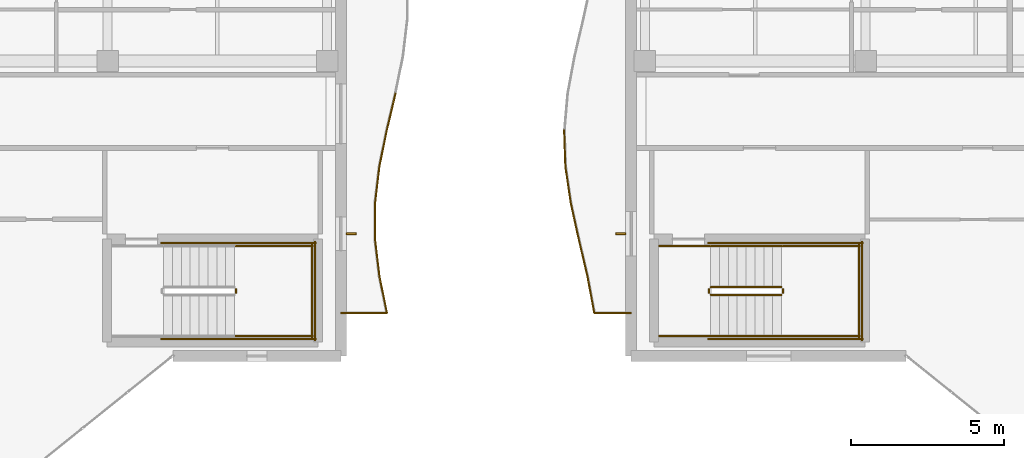
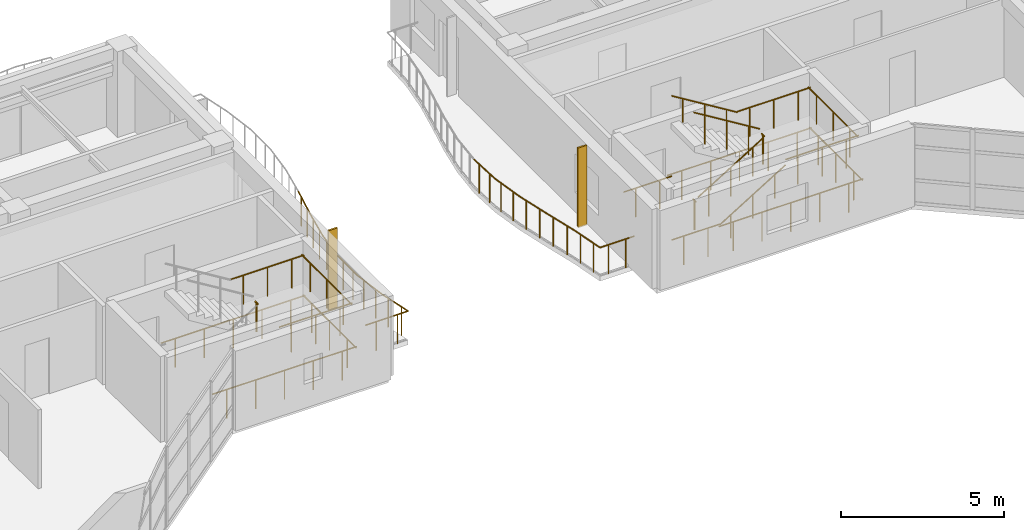
# One storey, part 86 of 89: 34 railings, 2 shading devices.
"""IFC4 building model written with IfcOpenShell, lengths in metres."""

from ifc_helpers import new_model, si_unit, direction, frame, origin, origin_2d, place, context, subcontext, project, spatial, rectangle, circle, extrude, material, layer, layer_set, type_object, element, save


model = new_model("IFC4")

# Units and contexts
model_context = context("Model", 3, precision=1e-05, world=origin(), true_north=direction((0.0, 1.0)))
body_context = subcontext(model_context, "Body", "Model", "MODEL_VIEW")
ifc_project = project(units=[si_unit("LENGTHUNIT", "METRE"), si_unit("AREAUNIT", "SQUARE_METRE"), si_unit("VOLUMEUNIT", "CUBIC_METRE"), si_unit("PLANEANGLEUNIT", "RADIAN"), si_unit("MASSUNIT", "GRAM", prefix="KILO")], contexts=[model_context])

# Site, building, storey
site_placement = place(None, origin())
site = spatial("IfcSite", under=ifc_project, at=site_placement, CompositionType="ELEMENT")
building_placement = place(site_placement, origin())
building = spatial("IfcBuilding", under=site, at=building_placement, Name="Keldmere Railside Commons", CompositionType="ELEMENT")
storey_placement = place(building_placement, frame((0.0, 0.0, 7.360107421875)))
storey = spatial("IfcBuildingStorey", under=building, at=storey_placement, Name="L02", CompositionType="ELEMENT", Elevation=7.360107421875)

# Railings
ifc_material = material(Name="Steel F-24 (S235)", Category="steel")
railing_type_1 = type_object("IfcRailingType", Name="Balcony & Terrace Steel Balustrade 1100", PredefinedType="BALUSTRADE", material=ifc_material)
railing_1_placement = place(storey_placement, frame((137.5, 101.39990234375, 0.0)))
element("IfcRailing", 1, at=railing_1_placement, inside=storey, type_object=railing_type_1, Name="GR-1 GRD-L02-2067", PredefinedType="BALUSTRADE", context=body_context, shape_type="SweptSolid", body=[
    extrude(circle(Radius=0.02392578125, at=origin_2d()), frame((0.0, 0.0, 1.076171875), z_axis=(1.0, 0.0, 0.0), x_axis=(0.0, 1.0, 0.0)), (0.0, 0.0, 1.0), 1.509521484375),
    extrude(circle(Radius=0.02099609375, at=origin_2d()), frame((0.37744140625, 0.0, 0.0)), (0.0, 0.0, 1.0), 1.048095703125),
    extrude(circle(Radius=0.02099609375, at=origin_2d()), frame((1.132080078125, 0.0, 0.0)), (0.0, 0.0, 1.0), 1.048095703125),
])
railing_2_placement = place(storey_placement, frame((139.009521484375, 101.39990234375, 0.0)))
element("IfcRailing", 2, at=railing_2_placement, inside=storey, type_object=railing_type_1, Name="GR-1 GRD-L02-2068", PredefinedType="BALUSTRADE", context=body_context, shape_type="SweptSolid", body=[
    extrude(circle(Radius=0.02392578125, at=origin_2d()), frame((0.0, 0.0, 1.076171875), z_axis=(-0.201630433829, 0.979461672631, 0.0), x_axis=(-0.979461672631, -0.201630433829, 0.0)), (0.0, 0.0, 1.0), 1.225341796875),
    extrude(circle(Radius=0.02099609375, at=origin_2d()), frame((-0.061767578125, 0.300048828125, 0.0)), (0.0, 0.0, 1.0), 1.048095703125),
    extrude(circle(Radius=0.02099609375, at=origin_2d()), frame((-0.185302734375, 0.900146484375, 0.0)), (0.0, 0.0, 1.0), 1.048095703125),
])
railing_3_placement = place(storey_placement, frame((138.762451171875, 102.60009765625, 0.0)))
element("IfcRailing", 3, at=railing_3_placement, inside=storey, type_object=railing_type_1, Name="GR-1 GRD-L02-2069", PredefinedType="BALUSTRADE", context=body_context, shape_type="SweptSolid", body=[
    extrude(circle(Radius=0.02392578125, at=origin_2d()), frame((0.0, 0.0, 1.076171875), z_axis=(-0.118587567053, 0.992943598066, 0.0), x_axis=(-0.992943598066, -0.118587567053, 0.0)), (0.0, 0.0, 1.0), 1.20849609375),
    extrude(circle(Radius=0.02099609375, at=origin_2d()), frame((-0.035888671875, 0.300048828125, 0.0)), (0.0, 0.0, 1.0), 1.048095703125),
    extrude(circle(Radius=0.02099609375, at=origin_2d()), frame((-0.107421875, 0.89990234375, 0.0)), (0.0, 0.0, 1.0), 1.048095703125),
])
railing_4_placement = place(storey_placement, frame((138.619140625, 103.800048828125, 0.0)))
element("IfcRailing", 4, at=railing_4_placement, inside=storey, type_object=railing_type_1, Name="GR-1 GRD-L02-2070", PredefinedType="BALUSTRADE", context=body_context, shape_type="SweptSolid", body=[
    extrude(circle(Radius=0.02392578125, at=origin_2d()), frame((0.0, 0.0, 1.076171875), z_axis=(-0.000610376285, 0.99999981372, 0.0), x_axis=(-0.99999981372, -0.000610376285, 0.0)), (0.0, 0.0, 1.0), 1.199951171875),
    extrude(circle(Radius=0.02099609375, at=origin_2d()), frame((-0.000244140625, 0.300048828125, 0.0)), (0.0, 0.0, 1.0), 1.048095703125),
    extrude(circle(Radius=0.02099609375, at=origin_2d()), frame((-0.00048828125, 0.89990234375, 0.0)), (0.0, 0.0, 1.0), 1.048095703125),
])
railing_5_placement = place(storey_placement, frame((138.618408203125, 105.0, 0.0)))
element("IfcRailing", 5, at=railing_5_placement, inside=storey, type_object=railing_type_1, Name="GR-1 GRD-L02-2071", PredefinedType="BALUSTRADE", context=body_context, shape_type="SweptSolid", body=[
    extrude(circle(Radius=0.02392578125, at=origin_2d()), frame((0.0, 0.0, 1.076171875), z_axis=(0.116993654414, 0.99313266225, 0.0), x_axis=(-0.99313266225, 0.116993654414, 0.0)), (0.0, 0.0, 1.0), 1.208251953125),
    extrude(circle(Radius=0.02099609375, at=origin_2d()), frame((0.035400390625, 0.300048828125, 0.0)), (0.0, 0.0, 1.0), 1.048095703125),
    extrude(circle(Radius=0.02099609375, at=origin_2d()), frame((0.10595703125, 0.89990234375, 0.0)), (0.0, 0.0, 1.0), 1.048095703125),
])
railing_6_placement = place(storey_placement, frame((138.759765625, 106.199951171875, 0.0)))
element("IfcRailing", 6, at=railing_6_placement, inside=storey, type_object=railing_type_1, Name="GR-1 GRD-L02-2072", PredefinedType="BALUSTRADE", context=body_context, shape_type="SweptSolid", body=[
    extrude(circle(Radius=0.02392578125, at=origin_2d()), frame((0.0, 0.0, 1.076171875), z_axis=(0.200904910214, 0.979610747722, 0.0), x_axis=(-0.979610747722, 0.200904910214, 0.0)), (0.0, 0.0, 1.0), 1.224853515625),
    extrude(circle(Radius=0.02099609375, at=origin_2d()), frame((0.0615234375, 0.300048828125, 0.0)), (0.0, 0.0, 1.0), 1.048095703125),
    extrude(circle(Radius=0.02099609375, at=origin_2d()), frame((0.1845703125, 0.89990234375, 0.0)), (0.0, 0.0, 1.0), 1.048095703125),
])
railing_7_placement = place(storey_placement, frame((139.005859375, 107.39990234375, 0.0)))
element("IfcRailing", 7, at=railing_7_placement, inside=storey, type_object=railing_type_1, Name="GR-1 GRD-L02-2073", PredefinedType="BALUSTRADE", context=body_context, shape_type="SweptSolid", body=[
    extrude(circle(Radius=0.02392578125, at=origin_2d()), frame((0.0, 0.0, 1.076171875), z_axis=(0.230782015464, 0.973005478576, 0.0), x_axis=(-0.973005478576, 0.230782015464, 0.0)), (0.0, 0.0, 1.0), 1.2333984375),
    extrude(circle(Radius=0.02099609375, at=origin_2d()), frame((0.0712890625, 0.300048828125, 0.0)), (0.0, 0.0, 1.0), 1.048095703125),
    extrude(circle(Radius=0.02099609375, at=origin_2d()), frame((0.21337890625, 0.900146484375, 0.0)), (0.0, 0.0, 1.0), 1.048095703125),
])
railing_8_placement = place(storey_placement, frame((147.0, 101.39990234375, 0.0)))
element("IfcRailing", 8, at=railing_8_placement, inside=storey, type_object=railing_type_1, Name="GR-1 GRD-L02-3396", PredefinedType="BALUSTRADE", context=body_context, shape_type="SweptSolid", body=[
    extrude(circle(Radius=0.02392578125, at=origin_2d()), frame((0.0, 0.0, 1.076171875), z_axis=(-1.0, 0.0, 0.0), x_axis=(0.0, -1.0, 0.0)), (0.0, 0.0, 1.0), 1.2080078125),
    extrude(circle(Radius=0.02099609375, at=origin_2d()), frame((-0.302001953125, 0.0, 0.0)), (0.0, 0.0, 1.0), 1.048095703125),
    extrude(circle(Radius=0.02099609375, at=origin_2d()), frame((-0.906005859375, 0.0, 0.0)), (0.0, 0.0, 1.0), 1.048095703125),
])
railing_9_placement = place(storey_placement, frame((145.7919921875, 101.39990234375, 0.0)))
element("IfcRailing", 9, at=railing_9_placement, inside=storey, type_object=railing_type_1, Name="GR-1 GRD-L02-3397", PredefinedType="BALUSTRADE", context=body_context, shape_type="SweptSolid", body=[
    extrude(circle(Radius=0.02392578125, at=origin_2d()), frame((0.0, 0.0, 1.076171875), z_axis=(-0.182597717543, 0.98318771023, 0.0), x_axis=(-0.98318771023, -0.182597717543, 0.0)), (0.0, 0.0, 1.0), 1.220703125),
    extrude(circle(Radius=0.02099609375, at=origin_2d()), frame((-0.0556640625, 0.300048828125, 0.0)), (0.0, 0.0, 1.0), 1.048095703125),
    extrude(circle(Radius=0.02099609375, at=origin_2d()), frame((-0.167236328125, 0.900146484375, 0.0)), (0.0, 0.0, 1.0), 1.048095703125),
])
railing_10_placement = place(storey_placement, frame((145.569091796875, 102.60009765625, 0.0)))
element("IfcRailing", 10, at=railing_10_placement, inside=storey, type_object=railing_type_1, Name="GR-1 GRD-L02-3398", PredefinedType="BALUSTRADE", context=body_context, shape_type="SweptSolid", body=[
    extrude(circle(Radius=0.02392578125, at=origin_2d()), frame((0.0, 0.0, 1.076171875), z_axis=(-0.228575623349, 0.973526160106, 0.0), x_axis=(-0.973526160106, -0.228575623349, 0.0)), (0.0, 0.0, 1.0), 1.232666015625),
    extrude(circle(Radius=0.02099609375, at=origin_2d()), frame((-0.0703125, 0.300048828125, 0.0)), (0.0, 0.0, 1.0), 1.048095703125),
    extrude(circle(Radius=0.02099609375, at=origin_2d()), frame((-0.21142578125, 0.89990234375, 0.0)), (0.0, 0.0, 1.0), 1.048095703125),
])
railing_11_placement = place(storey_placement, frame((145.287353515625, 103.800048828125, 0.0)))
element("IfcRailing", 11, at=railing_11_placement, inside=storey, type_object=railing_type_1, Name="GR-1 GRD-L02-3399", PredefinedType="BALUSTRADE", context=body_context, shape_type="SweptSolid", body=[
    extrude(circle(Radius=0.02392578125, at=origin_2d()), frame((0.0, 0.0, 1.076171875), z_axis=(-0.215373434555, 0.976531762765, 0.0), x_axis=(-0.976531762765, -0.215373434555, 0.0)), (0.0, 0.0, 1.0), 1.228759765625),
    extrude(circle(Radius=0.02099609375, at=origin_2d()), frame((-0.066162109375, 0.300048828125, 0.0)), (0.0, 0.0, 1.0), 1.048095703125),
    extrude(circle(Radius=0.02099609375, at=origin_2d()), frame((-0.198486328125, 0.89990234375, 0.0)), (0.0, 0.0, 1.0), 1.048095703125),
])
railing_12_placement = place(storey_placement, frame((145.022705078125, 105.0, 0.0)))
element("IfcRailing", 12, at=railing_12_placement, inside=storey, type_object=railing_type_1, Name="GR-1 GRD-L02-3400", PredefinedType="BALUSTRADE", context=body_context, shape_type="SweptSolid", body=[
    extrude(circle(Radius=0.02392578125, at=origin_2d()), frame((0.0, 0.0, 1.076171875), z_axis=(-0.146125565179, 0.989266050767, 0.0), x_axis=(-0.989266050767, -0.146125565179, 0.0)), (0.0, 0.0, 1.0), 1.212890625),
    extrude(circle(Radius=0.02099609375, at=origin_2d()), frame((-0.04443359375, 0.300048828125, 0.0)), (0.0, 0.0, 1.0), 1.048095703125),
    extrude(circle(Radius=0.02099609375, at=origin_2d()), frame((-0.1328125, 0.89990234375, 0.0)), (0.0, 0.0, 1.0), 1.048095703125),
])
railing_13_placement = place(storey_placement, frame((144.845458984375, 106.199951171875, 0.0)))
element("IfcRailing", 13, at=railing_13_placement, inside=storey, type_object=railing_type_1, Name="GR-1 GRD-L02-3401", PredefinedType="BALUSTRADE", context=body_context, shape_type="SweptSolid", body=[
    extrude(circle(Radius=0.02392578125, at=origin_2d()), frame((0.0, 0.0, 1.076171875), z_axis=(-0.03477041725, 0.999395326227, 0.0), x_axis=(-0.999395326227, -0.03477041725, 0.0)), (0.0, 0.0, 1.0), 1.20068359375),
    extrude(circle(Radius=0.02099609375, at=origin_2d()), frame((-0.010498046875, 0.300048828125, 0.0)), (0.0, 0.0, 1.0), 1.048095703125),
    extrude(circle(Radius=0.02099609375, at=origin_2d()), frame((-0.03125, 0.89990234375, 0.0)), (0.0, 0.0, 1.0), 1.048095703125),
])

# Shading devices
ifc_layer = layer(ifc_material, 0.06005859375, Name="East-West Vertical Brise-Soleil Fin 320x60")
ifc_layer_set = layer_set([ifc_layer], Name="Steel F-24 (S235)")
shading_device_type = type_object("IfcShadingDeviceType", Name="East-West Vertical Brise-Soleil Fin 320x60", PredefinedType="USERDEFINED", material=ifc_layer_set)
for number, where, z_axis, x_axis, name in (
    (14, (137.837890625, 104.0, 0.0), (0.0, 0.0, 1.0), (1.0, 0.0, 0.0), "FIN-1 Solar Fin 020"),
    (15, (146.662109375, 104.0, 0.0), (0.0, 0.0, 1.0), (1.0, 0.0, 0.0), "FIN-1 Solar Fin 031"),
):
    element("IfcShadingDevice", number, at=place(storey_placement, frame(where, z_axis=z_axis, x_axis=x_axis)), inside=storey, type_object=shading_device_type, Name=name, ObjectType="FIN", PredefinedType="USERDEFINED", context=body_context, shape_type="SweptSolid", body=[
        extrude(rectangle(XDim=0.320068359375, YDim=0.06005859375, at=origin_2d()), origin(), (0.0, 0.0, 1.0), 2.97998046875),
    ])

# Railings
railing_type_2 = type_object("IfcRailingType", Name="Stair Well Steel Guardrail 1100", PredefinedType="BALUSTRADE", material=ifc_material)
railing_14_placement = place(storey_placement, frame((134.070068359375, 102.050048828125, 1.599853515625)))
element("IfcRailing", 16, at=railing_14_placement, inside=storey, type_object=railing_type_2, Name="L02 ST-B2 stair guard 2", PredefinedType="BALUSTRADE", context=body_context, shape_type="SweptSolid", body=[
    extrude(circle(Radius=0.02392578125, at=origin_2d()), frame((0.0, 0.0, 1.076171875), z_axis=(0.0, 1.0, 0.0), x_axis=(-1.0, 0.0, 0.0)), (0.0, 0.0, 1.0), 0.14990234375),
    extrude(circle(Radius=0.02099609375, at=origin_2d()), frame((0.0, 0.074951171875, 0.0)), (0.0, 0.0, 1.0), 1.048095703125),
])
for number, where, name in (
    (17, (134.02001953125, 100.64990234375, 1.599853515625), "L02 ST-B2 stair guard 3"),
    (18, (134.02001953125, 103.60009765625, 1.599853515625), "L02 ST-B2 stair guard 4"),
):
    element("IfcRailing", number, at=place(storey_placement, frame(where)), inside=storey, type_object=railing_type_2, Name=name, PredefinedType="BALUSTRADE", context=body_context, shape_type="SweptSolid", body=[
        extrude(circle(Radius=0.02392578125, at=origin_2d()), frame((0.0, 0.0, 1.076171875), z_axis=(1.0, 0.0, 0.0), x_axis=(0.0, 1.0, 0.0)), (0.0, 0.0, 1.0), 2.580078125),
        extrude(circle(Radius=0.02099609375, at=origin_2d()), frame((0.429931640625, 0.0, 0.0)), (0.0, 0.0, 1.0), 1.048095703125),
        extrude(circle(Radius=0.02099609375, at=origin_2d()), frame((1.2900390625, 0.0, 0.0)), (0.0, 0.0, 1.0), 1.048095703125),
        extrude(circle(Radius=0.02099609375, at=origin_2d()), frame((2.150146484375, 0.0, 0.0)), (0.0, 0.0, 1.0), 1.048095703125),
    ])
railing_15_placement = place(storey_placement, frame((136.550048828125, 100.60009765625, 1.599853515625)))
element("IfcRailing", 19, at=railing_15_placement, inside=storey, type_object=railing_type_2, Name="L02 ST-B2 stair guard 5", PredefinedType="BALUSTRADE", context=body_context, shape_type="SweptSolid", body=[
    extrude(circle(Radius=0.02392578125, at=origin_2d()), frame((0.0, 0.0, 1.076171875), z_axis=(0.0, 1.0, 0.0), x_axis=(-1.0, 0.0, 0.0)), (0.0, 0.0, 1.0), 3.0498046875),
    extrude(circle(Radius=0.02099609375, at=origin_2d()), frame((0.0, 0.50830078125, 0.0)), (0.0, 0.0, 1.0), 1.048095703125),
    extrude(circle(Radius=0.02099609375, at=origin_2d()), frame((0.0, 1.52490234375, 0.0)), (0.0, 0.0, 1.0), 1.048095703125),
    extrude(circle(Radius=0.02099609375, at=origin_2d()), frame((0.0, 2.54150390625, 0.0)), (0.0, 0.0, 1.0), 1.048095703125),
])
for number, where, name in (
    (20, (131.60009765625, 100.550048828125, 0.0), "L02 ST-B2 stair guard 10"),
    (21, (131.60009765625, 103.699951171875, 0.0), "L02 ST-B2 stair guard 11"),
):
    element("IfcRailing", number, at=place(storey_placement, frame(where)), inside=storey, type_object=railing_type_2, Name=name, PredefinedType="BALUSTRADE", context=body_context, shape_type="SweptSolid", body=[
        extrude(circle(Radius=0.02392578125, at=origin_2d()), frame((0.0, 0.0, 1.076171875), z_axis=(1.0, 0.0, 0.0), x_axis=(0.0, 1.0, 0.0)), (0.0, 0.0, 1.0), 5.099853515625),
        extrude(circle(Radius=0.02099609375, at=origin_2d()), frame((0.510009765625, 0.0, 0.0)), (0.0, 0.0, 1.0), 1.048095703125),
        extrude(circle(Radius=0.02099609375, at=origin_2d()), frame((1.530029296875, 0.0, 0.0)), (0.0, 0.0, 1.0), 1.048095703125),
        extrude(circle(Radius=0.02099609375, at=origin_2d()), frame((2.5498046875, 0.0, 0.0)), (0.0, 0.0, 1.0), 1.048095703125),
        extrude(circle(Radius=0.02099609375, at=origin_2d()), frame((3.56982421875, 0.0, 0.0)), (0.0, 0.0, 1.0), 1.048095703125),
        extrude(circle(Radius=0.02099609375, at=origin_2d()), frame((4.58984375, 0.0, 0.0)), (0.0, 0.0, 1.0), 1.048095703125),
    ])
railing_16_placement = place(storey_placement, frame((136.64990234375, 100.5, 0.0)))
element("IfcRailing", 22, at=railing_16_placement, inside=storey, type_object=railing_type_2, Name="L02 ST-B2 stair guard 12", PredefinedType="BALUSTRADE", context=body_context, shape_type="SweptSolid", body=[
    extrude(circle(Radius=0.02392578125, at=origin_2d()), frame((0.0, 0.0, 1.076171875), z_axis=(0.0, 1.0, 0.0), x_axis=(-1.0, 0.0, 0.0)), (0.0, 0.0, 1.0), 3.25),
    extrude(circle(Radius=0.02099609375, at=origin_2d()), frame((0.0, 0.541748046875, 0.0)), (0.0, 0.0, 1.0), 1.048095703125),
    extrude(circle(Radius=0.02099609375, at=origin_2d()), frame((0.0, 1.625, 0.0)), (0.0, 0.0, 1.0), 1.048095703125),
    extrude(circle(Radius=0.02099609375, at=origin_2d()), frame((0.0, 2.708251953125, 0.0)), (0.0, 0.0, 1.0), 1.048095703125),
])
railing_17_placement = place(storey_placement, frame((149.60009765625, 102.0, 0.177734375)))
element("IfcRailing", 23, at=railing_17_placement, inside=storey, type_object=railing_type_2, Name="L02 ST-A2 stair guard 1", PredefinedType="BALUSTRADE", context=body_context, shape_type="SweptSolid", body=[
    extrude(circle(Radius=0.02392578125, at=origin_2d()), frame((0.0, 0.0, 1.076171875), z_axis=(0.85255353654, 0.0, 0.522639902162), x_axis=(0.0, 1.0, 0.0)), (0.0, 0.0, 1.0), 2.720947265625),
    extrude(circle(Radius=0.02099609375, at=origin_2d()), frame((0.38671875, 0.0, 0.237060546875)), (0.0, 0.0, 1.0), 1.048095703125),
    extrude(circle(Radius=0.02099609375, at=origin_2d()), frame((1.159912109375, 0.0, 0.7109375)), (0.0, 0.0, 1.0), 1.048095703125),
    extrude(circle(Radius=0.02099609375, at=origin_2d()), frame((1.93310546875, 0.0, 1.18505859375)), (0.0, 0.0, 1.0), 1.048095703125),
])
railing_18_placement = place(storey_placement, frame((151.969970703125, 102.050048828125, 1.599853515625)))
element("IfcRailing", 24, at=railing_18_placement, inside=storey, type_object=railing_type_2, Name="L02 ST-A2 stair guard 2", PredefinedType="BALUSTRADE", context=body_context, shape_type="SweptSolid", body=[
    extrude(circle(Radius=0.02392578125, at=origin_2d()), frame((0.0, 0.0, 1.076171875), z_axis=(0.0, 1.0, 0.0), x_axis=(-1.0, 0.0, 0.0)), (0.0, 0.0, 1.0), 0.14990234375),
    extrude(circle(Radius=0.02099609375, at=origin_2d()), frame((0.0, 0.074951171875, 0.0)), (0.0, 0.0, 1.0), 1.048095703125),
])
for number, where, name in (
    (25, (151.919921875, 100.64990234375, 1.599853515625), "L02 ST-A2 stair guard 3"),
    (26, (151.919921875, 103.60009765625, 1.599853515625), "L02 ST-A2 stair guard 4"),
):
    element("IfcRailing", number, at=place(storey_placement, frame(where)), inside=storey, type_object=railing_type_2, Name=name, PredefinedType="BALUSTRADE", context=body_context, shape_type="SweptSolid", body=[
        extrude(circle(Radius=0.02392578125, at=origin_2d()), frame((0.0, 0.0, 1.076171875), z_axis=(1.0, 0.0, 0.0), x_axis=(0.0, 1.0, 0.0)), (0.0, 0.0, 1.0), 2.580078125),
        extrude(circle(Radius=0.02099609375, at=origin_2d()), frame((0.429931640625, 0.0, 0.0)), (0.0, 0.0, 1.0), 1.048095703125),
        extrude(circle(Radius=0.02099609375, at=origin_2d()), frame((1.2900390625, 0.0, 0.0)), (0.0, 0.0, 1.0), 1.048095703125),
        extrude(circle(Radius=0.02099609375, at=origin_2d()), frame((2.150146484375, 0.0, 0.0)), (0.0, 0.0, 1.0), 1.048095703125),
    ])
railing_19_placement = place(storey_placement, frame((154.449951171875, 100.60009765625, 1.599853515625)))
element("IfcRailing", 27, at=railing_19_placement, inside=storey, type_object=railing_type_2, Name="L02 ST-A2 stair guard 5", PredefinedType="BALUSTRADE", context=body_context, shape_type="SweptSolid", body=[
    extrude(circle(Radius=0.02392578125, at=origin_2d()), frame((0.0, 0.0, 1.076171875), z_axis=(0.0, 1.0, 0.0), x_axis=(-1.0, 0.0, 0.0)), (0.0, 0.0, 1.0), 3.0498046875),
    extrude(circle(Radius=0.02099609375, at=origin_2d()), frame((0.0, 0.50830078125, 0.0)), (0.0, 0.0, 1.0), 1.048095703125),
    extrude(circle(Radius=0.02099609375, at=origin_2d()), frame((0.0, 1.52490234375, 0.0)), (0.0, 0.0, 1.0), 1.048095703125),
    extrude(circle(Radius=0.02099609375, at=origin_2d()), frame((0.0, 2.54150390625, 0.0)), (0.0, 0.0, 1.0), 1.048095703125),
])
railing_20_placement = place(storey_placement, frame((151.919921875, 102.25, 1.777587890625)))
element("IfcRailing", 28, at=railing_20_placement, inside=storey, type_object=railing_type_2, Name="L02 ST-A2 stair guard 6", PredefinedType="BALUSTRADE", context=body_context, shape_type="SweptSolid", body=[
    extrude(circle(Radius=0.02392578125, at=origin_2d()), frame((0.0, 0.0, 1.076171875), z_axis=(-0.852513557019, 0.0, 0.522705112944), x_axis=(0.0, -1.0, 0.0)), (0.0, 0.0, 1.0), 2.72119140625),
    extrude(circle(Radius=0.02099609375, at=origin_2d()), frame((-0.38671875, 0.0, 0.237060546875)), (0.0, 0.0, 1.0), 1.048095703125),
    extrude(circle(Radius=0.02099609375, at=origin_2d()), frame((-1.159912109375, 0.0, 0.711181640625)), (0.0, 0.0, 1.0), 1.048095703125),
    extrude(circle(Radius=0.02099609375, at=origin_2d()), frame((-1.93310546875, 0.0, 1.185302734375)), (0.0, 0.0, 1.0), 1.048095703125),
])
railing_21_placement = place(storey_placement, frame((149.550048828125, 102.050048828125, 0.0)))
element("IfcRailing", 29, at=railing_21_placement, inside=storey, type_object=railing_type_2, Name="L02 ST-A2 stair guard 7", PredefinedType="BALUSTRADE", context=body_context, shape_type="SweptSolid", body=[
    extrude(circle(Radius=0.02392578125, at=origin_2d()), frame((0.0, 0.0, 1.076171875), z_axis=(0.0, 1.0, 0.0), x_axis=(-1.0, 0.0, 0.0)), (0.0, 0.0, 1.0), 0.14990234375),
    extrude(circle(Radius=0.02099609375, at=origin_2d()), frame((0.0, 0.074951171875, 0.0)), (0.0, 0.0, 1.0), 1.048095703125),
])
for number, where, name in (
    (30, (147.89990234375, 100.64990234375, 0.0), "L02 ST-A2 stair guard 8"),
    (31, (147.89990234375, 103.60009765625, 0.0), "L02 ST-A2 stair guard 9"),
):
    element("IfcRailing", number, at=place(storey_placement, frame(where)), inside=storey, type_object=railing_type_2, Name=name, PredefinedType="BALUSTRADE", context=body_context, shape_type="SweptSolid", body=[
        extrude(circle(Radius=0.02392578125, at=origin_2d()), frame((0.0, 0.0, 1.076171875), z_axis=(1.0, 0.0, 0.0), x_axis=(0.0, 1.0, 0.0)), (0.0, 0.0, 1.0), 1.7001953125),
        extrude(circle(Radius=0.02099609375, at=origin_2d()), frame((0.425048828125, 0.0, 0.0)), (0.0, 0.0, 1.0), 1.048095703125),
        extrude(circle(Radius=0.02099609375, at=origin_2d()), frame((1.275146484375, 0.0, 0.0)), (0.0, 0.0, 1.0), 1.048095703125),
    ])
for number, where, name in (
    (32, (149.5, 100.550048828125, 0.0), "L02 ST-A2 stair guard 10"),
    (33, (149.5, 103.699951171875, 0.0), "L02 ST-A2 stair guard 11"),
):
    element("IfcRailing", number, at=place(storey_placement, frame(where)), inside=storey, type_object=railing_type_2, Name=name, PredefinedType="BALUSTRADE", context=body_context, shape_type="SweptSolid", body=[
        extrude(circle(Radius=0.02392578125, at=origin_2d()), frame((0.0, 0.0, 1.076171875), z_axis=(1.0, 0.0, 0.0), x_axis=(0.0, 1.0, 0.0)), (0.0, 0.0, 1.0), 5.10009765625),
        extrude(circle(Radius=0.02099609375, at=origin_2d()), frame((0.510009765625, 0.0, 0.0)), (0.0, 0.0, 1.0), 1.048095703125),
        extrude(circle(Radius=0.02099609375, at=origin_2d()), frame((1.530029296875, 0.0, 0.0)), (0.0, 0.0, 1.0), 1.048095703125),
        extrude(circle(Radius=0.02099609375, at=origin_2d()), frame((2.550048828125, 0.0, 0.0)), (0.0, 0.0, 1.0), 1.048095703125),
        extrude(circle(Radius=0.02099609375, at=origin_2d()), frame((3.570068359375, 0.0, 0.0)), (0.0, 0.0, 1.0), 1.048095703125),
        extrude(circle(Radius=0.02099609375, at=origin_2d()), frame((4.590087890625, 0.0, 0.0)), (0.0, 0.0, 1.0), 1.048095703125),
    ])
railing_22_placement = place(storey_placement, frame((154.550048828125, 100.5, 0.0)))
element("IfcRailing", 34, at=railing_22_placement, inside=storey, type_object=railing_type_2, Name="L02 ST-A2 stair guard 12", PredefinedType="BALUSTRADE", context=body_context, shape_type="SweptSolid", body=[
    extrude(circle(Radius=0.02392578125, at=origin_2d()), frame((0.0, 0.0, 1.076171875), z_axis=(0.0, 1.0, 0.0), x_axis=(-1.0, 0.0, 0.0)), (0.0, 0.0, 1.0), 3.25),
    extrude(circle(Radius=0.02099609375, at=origin_2d()), frame((0.0, 0.541748046875, 0.0)), (0.0, 0.0, 1.0), 1.048095703125),
    extrude(circle(Radius=0.02099609375, at=origin_2d()), frame((0.0, 1.625, 0.0)), (0.0, 0.0, 1.0), 1.048095703125),
    extrude(circle(Radius=0.02099609375, at=origin_2d()), frame((0.0, 2.708251953125, 0.0)), (0.0, 0.0, 1.0), 1.048095703125),
])
railing_type_3 = type_object("IfcRailingType", Name="Wall-Mounted Tubular Steel Handrail 900", PredefinedType="HANDRAIL", material=ifc_material)
railing_23_placement = place(storey_placement, frame((149.60009765625, 100.64990234375, 0.177734375)))
element("IfcRailing", 35, at=railing_23_placement, inside=storey, type_object=railing_type_3, Name="L02 ST-A2 stair handrail 1", PredefinedType="HANDRAIL", context=body_context, shape_type="SweptSolid", body=[
    extrude(circle(Radius=0.02392578125, at=origin_2d()), frame((0.0, 0.0, 0.8759765625), z_axis=(0.85255353654, 0.0, 0.522639902162), x_axis=(0.0, 1.0, 0.0)), (0.0, 0.0, 1.0), 2.720947265625),
    extrude(circle(Radius=0.02099609375, at=origin_2d()), frame((0.38671875, 0.0, 0.237060546875)), (0.0, 0.0, 1.0), 0.847900390625),
    extrude(circle(Radius=0.02099609375, at=origin_2d()), frame((1.159912109375, 0.0, 0.7109375)), (0.0, 0.0, 1.0), 0.847900390625),
    extrude(circle(Radius=0.02099609375, at=origin_2d()), frame((1.93310546875, 0.0, 1.18505859375)), (0.0, 0.0, 1.0), 0.847900390625),
])
railing_24_placement = place(storey_placement, frame((151.919921875, 103.60009765625, 1.777587890625)))
element("IfcRailing", 36, at=railing_24_placement, inside=storey, type_object=railing_type_3, Name="L02 ST-A2 stair handrail 2", PredefinedType="HANDRAIL", context=body_context, shape_type="SweptSolid", body=[
    extrude(circle(Radius=0.02392578125, at=origin_2d()), frame((0.0, 0.0, 0.8759765625), z_axis=(-0.852513557019, 0.0, 0.522705112944), x_axis=(0.0, -1.0, 0.0)), (0.0, 0.0, 1.0), 2.72119140625),
    extrude(circle(Radius=0.02099609375, at=origin_2d()), frame((-0.38671875, 0.0, 0.237060546875)), (0.0, 0.0, 1.0), 0.847900390625),
    extrude(circle(Radius=0.02099609375, at=origin_2d()), frame((-1.159912109375, 0.0, 0.711181640625)), (0.0, 0.0, 1.0), 0.847900390625),
    extrude(circle(Radius=0.02099609375, at=origin_2d()), frame((-1.93310546875, 0.0, 1.185302734375)), (0.0, 0.0, 1.0), 0.847900390625),
])

save(model, "model.ifc")
